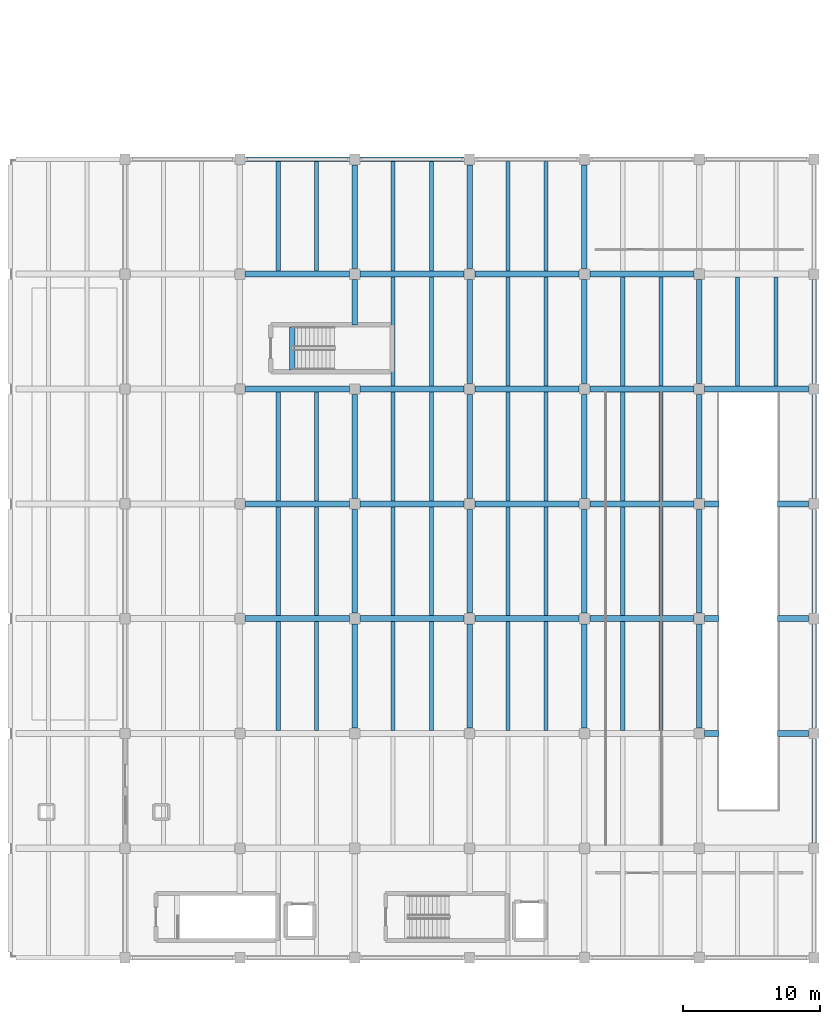
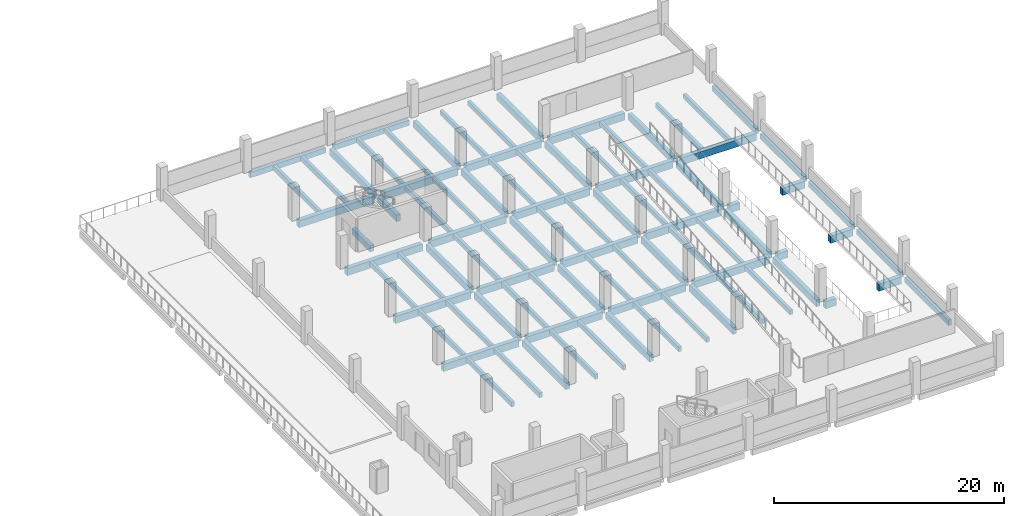
# One storey, part 62 of 95: 88 beams.
"""IFC4 building model written with IfcOpenShell, lengths in metres."""

from ifc_helpers import new_model, si_unit, direction, frame, origin, origin_2d, place, context, subcontext, project, spatial, rectangle, extrude, material, material_profile, profile_set, type_object, element, save


model = new_model("IFC4")

# Units and contexts
model_context = context("Model", 3, precision=1e-05, world=origin(), true_north=direction((0.0, 1.0)))
body_context = subcontext(model_context, "Body", "Model", "MODEL_VIEW")
ifc_project = project(units=[si_unit("LENGTHUNIT", "METRE"), si_unit("AREAUNIT", "SQUARE_METRE"), si_unit("VOLUMEUNIT", "CUBIC_METRE"), si_unit("PLANEANGLEUNIT", "RADIAN"), si_unit("MASSUNIT", "GRAM", prefix="KILO"), si_unit("THERMODYNAMICTEMPERATUREUNIT", "KELVIN"), si_unit("POWERUNIT", "WATT")], contexts=[model_context])

# Site, building, storey
site_placement = place(None, origin())
site = spatial("IfcSite", under=ifc_project, at=site_placement, CompositionType="ELEMENT")
building_placement = place(site_placement, origin())
building = spatial("IfcBuilding", under=site, at=building_placement, Name="Mavoryth Pier Ferry Terminal", CompositionType="ELEMENT")
storey_placement = place(building_placement, frame((0.0, 0.0, 9.60009765625)))
storey = spatial("IfcBuildingStorey", under=building, at=storey_placement, Name="L02", CompositionType="ELEMENT", Elevation=9.60009765625)

# Beams
ifc_material = material(Name="Concrete C35/45", Category="concrete")
ifc_material_profile_1 = material_profile(ifc_material, rectangle(XDim=0.39990234375, YDim=0.64990234375, at=origin_2d()), Name="RC 400x650", Category="concrete")
ifc_profile_set_1 = profile_set([ifc_material_profile_1], Name="Concrete C35/45 - RC 400x650")
beam_type_1 = type_object("IfcBeamType", Name="Girder-RC-400x650", PredefinedType="BEAM", material=ifc_profile_set_1)
beam_1_placement = place(storey_placement, frame((129.820068359375, 57.0, -0.3251953125), z_axis=(0.0, 1.0, 0.0), x_axis=(-1.0, 0.0, 0.0)))
element("IfcBeam", 1, at=beam_1_placement, inside=storey, type_object=beam_type_1, Name="Beam B02-BG05-1582", PredefinedType="BEAM", context=body_context, shape_type="SweptSolid", body=[
    extrude(rectangle(XDim=0.39990234375, YDim=0.64990234375, at=origin_2d()), origin(), (0.0, 0.0, 1.0), 3.14990234375),
])
ifc_material_profile_2 = material_profile(ifc_material, rectangle(XDim=0.39990234375, YDim=0.699951171875, at=origin_2d()), Name="RC 400x700", Category="concrete")
ifc_profile_set_2 = profile_set([ifc_material_profile_2], Name="Concrete C35/45 - RC 400x700")
beam_type_2 = type_object("IfcBeamType", Name="Girder-RC-400x700", PredefinedType="BEAM", material=ifc_profile_set_2)
beam_2_placement = place(storey_placement, frame((134.39990234375, 30.800048828125, -0.650146484375), z_axis=(0.0, 1.0, 0.0), x_axis=(-1.0, 0.0, 0.0)))
element("IfcBeam", 2, at=beam_2_placement, inside=storey, type_object=beam_type_2, Name="Beam B02-BG04-0834", PredefinedType="BEAM", context=body_context, shape_type="SweptSolid", body=[
    extrude(rectangle(XDim=0.39990234375, YDim=0.699951171875, at=origin_2d()), origin(), (0.0, 0.0, 1.0), 7.599853515625),
])
beam_3_placement = place(storey_placement, frame((134.39990234375, 39.199951171875, -0.650146484375), z_axis=(0.0, 1.0, 0.0), x_axis=(-1.0, 0.0, 0.0)))
element("IfcBeam", 3, at=beam_3_placement, inside=storey, type_object=beam_type_2, Name="Beam B02-BG04-0835", PredefinedType="BEAM", context=body_context, shape_type="SweptSolid", body=[
    extrude(rectangle(XDim=0.39990234375, YDim=0.699951171875, at=origin_2d()), origin(), (0.0, 0.0, 1.0), 7.60009765625),
])
beam_4_placement = place(storey_placement, frame((134.39990234375, 47.60009765625, -0.650146484375), z_axis=(0.0, 1.0, 0.0), x_axis=(-1.0, 0.0, 0.0)))
element("IfcBeam", 4, at=beam_4_placement, inside=storey, type_object=beam_type_2, Name="Beam B02-BG04-0836", PredefinedType="BEAM", context=body_context, shape_type="SweptSolid", body=[
    extrude(rectangle(XDim=0.39990234375, YDim=0.699951171875, at=origin_2d()), origin(), (0.0, 0.0, 1.0), 7.599853515625),
])
beam_5_placement = place(storey_placement, frame((134.39990234375, 60.280029296875, -0.650146484375), z_axis=(0.0, 1.0, 0.0), x_axis=(-1.0, 0.0, 0.0)))
element("IfcBeam", 5, at=beam_5_placement, inside=storey, type_object=beam_type_2, Name="Beam B02-BG04-0837", PredefinedType="BEAM", context=body_context, shape_type="SweptSolid", body=[
    extrude(rectangle(XDim=0.39990234375, YDim=0.699951171875, at=origin_2d()), origin(), (0.0, 0.0, 1.0), 3.320068359375),
])
beam_6_placement = place(storey_placement, frame((134.39990234375, 64.39990234375, -0.650146484375), z_axis=(0.0, 1.0, 0.0), x_axis=(-1.0, 0.0, 0.0)))
element("IfcBeam", 6, at=beam_6_placement, inside=storey, type_object=beam_type_2, Name="Beam B02-BG04-0838", PredefinedType="BEAM", context=body_context, shape_type="SweptSolid", body=[
    extrude(rectangle(XDim=0.39990234375, YDim=0.699951171875, at=origin_2d()), origin(), (0.0, 0.0, 1.0), 7.60009765625),
])
beam_7_placement = place(storey_placement, frame((142.800048828125, 30.800048828125, -0.650146484375), z_axis=(0.0, 1.0, 0.0), x_axis=(-1.0, 0.0, 0.0)))
element("IfcBeam", 7, at=beam_7_placement, inside=storey, type_object=beam_type_2, Name="Beam B02-BG04-0841", PredefinedType="BEAM", context=body_context, shape_type="SweptSolid", body=[
    extrude(rectangle(XDim=0.39990234375, YDim=0.699951171875, at=origin_2d()), origin(), (0.0, 0.0, 1.0), 7.599853515625),
])
beam_8_placement = place(storey_placement, frame((142.800048828125, 39.199951171875, -0.650146484375), z_axis=(0.0, 1.0, 0.0), x_axis=(-1.0, 0.0, 0.0)))
element("IfcBeam", 8, at=beam_8_placement, inside=storey, type_object=beam_type_2, Name="Beam B02-BG04-0842", PredefinedType="BEAM", context=body_context, shape_type="SweptSolid", body=[
    extrude(rectangle(XDim=0.39990234375, YDim=0.699951171875, at=origin_2d()), origin(), (0.0, 0.0, 1.0), 7.60009765625),
])
beam_9_placement = place(storey_placement, frame((142.800048828125, 47.60009765625, -0.650146484375), z_axis=(0.0, 1.0, 0.0), x_axis=(-1.0, 0.0, 0.0)))
element("IfcBeam", 9, at=beam_9_placement, inside=storey, type_object=beam_type_2, Name="Beam B02-BG04-0843", PredefinedType="BEAM", context=body_context, shape_type="SweptSolid", body=[
    extrude(rectangle(XDim=0.39990234375, YDim=0.699951171875, at=origin_2d()), origin(), (0.0, 0.0, 1.0), 7.599853515625),
])
for number, where, z_axis, x_axis, name in (
    (10, (142.800048828125, 56.0, -0.650146484375), (0.0, 1.0, 0.0), (-1.0, 0.0, 0.0), "Beam B02-BG04-0844"),
    (11, (142.800048828125, 64.39990234375, -0.650146484375), (0.0, 1.0, 0.0), (-1.0, 0.0, 0.0), "Beam B02-BG04-0845"),
):
    element("IfcBeam", number, at=place(storey_placement, frame(where, z_axis=z_axis, x_axis=x_axis)), inside=storey, type_object=beam_type_2, Name=name, PredefinedType="BEAM", context=body_context, shape_type="SweptSolid", body=[
        extrude(rectangle(XDim=0.39990234375, YDim=0.699951171875, at=origin_2d()), origin(), (0.0, 0.0, 1.0), 7.60009765625),
    ])
beam_10_placement = place(storey_placement, frame((151.199951171875, 30.800048828125, -0.650146484375), z_axis=(0.0, 1.0, 0.0), x_axis=(-1.0, 0.0, 0.0)))
element("IfcBeam", 12, at=beam_10_placement, inside=storey, type_object=beam_type_2, Name="Beam B02-BG04-0848", PredefinedType="BEAM", context=body_context, shape_type="SweptSolid", body=[
    extrude(rectangle(XDim=0.39990234375, YDim=0.699951171875, at=origin_2d()), origin(), (0.0, 0.0, 1.0), 7.599853515625),
])
beam_11_placement = place(storey_placement, frame((151.199951171875, 39.199951171875, -0.650146484375), z_axis=(0.0, 1.0, 0.0), x_axis=(-1.0, 0.0, 0.0)))
element("IfcBeam", 13, at=beam_11_placement, inside=storey, type_object=beam_type_2, Name="Beam B02-BG04-0849", PredefinedType="BEAM", context=body_context, shape_type="SweptSolid", body=[
    extrude(rectangle(XDim=0.39990234375, YDim=0.699951171875, at=origin_2d()), origin(), (0.0, 0.0, 1.0), 7.60009765625),
])
beam_12_placement = place(storey_placement, frame((151.199951171875, 47.60009765625, -0.650146484375), z_axis=(0.0, 1.0, 0.0), x_axis=(-1.0, 0.0, 0.0)))
element("IfcBeam", 14, at=beam_12_placement, inside=storey, type_object=beam_type_2, Name="Beam B02-BG04-0850", PredefinedType="BEAM", context=body_context, shape_type="SweptSolid", body=[
    extrude(rectangle(XDim=0.39990234375, YDim=0.699951171875, at=origin_2d()), origin(), (0.0, 0.0, 1.0), 7.599853515625),
])
for number, where, z_axis, x_axis, name in (
    (15, (151.199951171875, 56.0, -0.650146484375), (0.0, 1.0, 0.0), (-1.0, 0.0, 0.0), "Beam B02-BG04-0851"),
    (16, (151.199951171875, 64.39990234375, -0.650146484375), (0.0, 1.0, 0.0), (-1.0, 0.0, 0.0), "Beam B02-BG04-0852"),
):
    element("IfcBeam", number, at=place(storey_placement, frame(where, z_axis=z_axis, x_axis=x_axis)), inside=storey, type_object=beam_type_2, Name=name, PredefinedType="BEAM", context=body_context, shape_type="SweptSolid", body=[
        extrude(rectangle(XDim=0.39990234375, YDim=0.699951171875, at=origin_2d()), origin(), (0.0, 0.0, 1.0), 7.60009765625),
    ])
beam_13_placement = place(storey_placement, frame((159.60009765625, 30.800048828125, -0.650146484375), z_axis=(0.0, 1.0, 0.0), x_axis=(-1.0, 0.0, 0.0)))
element("IfcBeam", 17, at=beam_13_placement, inside=storey, type_object=beam_type_2, Name="Beam B02-BG04-0855", PredefinedType="BEAM", context=body_context, shape_type="SweptSolid", body=[
    extrude(rectangle(XDim=0.39990234375, YDim=0.699951171875, at=origin_2d()), origin(), (0.0, 0.0, 1.0), 7.599853515625),
])
beam_14_placement = place(storey_placement, frame((159.60009765625, 39.199951171875, -0.650146484375), z_axis=(0.0, 1.0, 0.0), x_axis=(-1.0, 0.0, 0.0)))
element("IfcBeam", 18, at=beam_14_placement, inside=storey, type_object=beam_type_2, Name="Beam B02-BG04-0856", PredefinedType="BEAM", context=body_context, shape_type="SweptSolid", body=[
    extrude(rectangle(XDim=0.39990234375, YDim=0.699951171875, at=origin_2d()), origin(), (0.0, 0.0, 1.0), 7.60009765625),
])
beam_15_placement = place(storey_placement, frame((159.60009765625, 47.60009765625, -0.650146484375), z_axis=(0.0, 1.0, 0.0), x_axis=(-1.0, 0.0, 0.0)))
element("IfcBeam", 19, at=beam_15_placement, inside=storey, type_object=beam_type_2, Name="Beam B02-BG04-0857", PredefinedType="BEAM", context=body_context, shape_type="SweptSolid", body=[
    extrude(rectangle(XDim=0.39990234375, YDim=0.699951171875, at=origin_2d()), origin(), (0.0, 0.0, 1.0), 7.599853515625),
])
beam_16_placement = place(storey_placement, frame((159.60009765625, 56.0, -0.650146484375), z_axis=(0.0, 1.0, 0.0), x_axis=(-1.0, 0.0, 0.0)))
element("IfcBeam", 20, at=beam_16_placement, inside=storey, type_object=beam_type_2, Name="Beam B02-BG04-0858", PredefinedType="BEAM", context=body_context, shape_type="SweptSolid", body=[
    extrude(rectangle(XDim=0.39990234375, YDim=0.699951171875, at=origin_2d()), origin(), (0.0, 0.0, 1.0), 7.60009765625),
])
ifc_material_profile_3 = material_profile(ifc_material, rectangle(XDim=0.449951171875, YDim=0.75, at=origin_2d()), Name="RC 450x750", Category="concrete")
ifc_profile_set_3 = profile_set([ifc_material_profile_3], Name="Concrete C35/45 - RC 450x750")
beam_type_3 = type_object("IfcBeamType", Name="Girder-RC-450x750", PredefinedType="BEAM", material=ifc_profile_set_3)
beam_17_placement = place(storey_placement, frame((160.0, 30.39990234375, -0.675048828125), z_axis=(1.0, 0.0, 0.0), x_axis=(0.0, 1.0, 0.0)))
element("IfcBeam", 21, at=beam_17_placement, inside=storey, type_object=beam_type_3, Name="Beam B02-BG02-0772", PredefinedType="BEAM", context=body_context, shape_type="SweptSolid", body=[
    extrude(rectangle(XDim=0.449951171875, YDim=0.75, at=origin_2d()), origin(), (0.0, 0.0, 1.0), 1.06005859375),
])
beam_18_placement = place(storey_placement, frame((165.340087890625, 30.39990234375, -0.675048828125), z_axis=(1.0, 0.0, 0.0), x_axis=(0.0, 1.0, 0.0)))
element("IfcBeam", 22, at=beam_18_placement, inside=storey, type_object=beam_type_3, Name="Beam B02-BG02-0773", PredefinedType="BEAM", context=body_context, shape_type="SweptSolid", body=[
    extrude(rectangle(XDim=0.449951171875, YDim=0.75, at=origin_2d()), origin(), (0.0, 0.0, 1.0), 2.260009765625),
])
beam_19_placement = place(storey_placement, frame((126.39990234375, 38.800048828125, -0.675048828125), z_axis=(1.0, 0.0, 0.0), x_axis=(0.0, 1.0, 0.0)))
element("IfcBeam", 23, at=beam_19_placement, inside=storey, type_object=beam_type_3, Name="Beam B02-BG02-0776", PredefinedType="BEAM", context=body_context, shape_type="SweptSolid", body=[
    extrude(rectangle(XDim=0.449951171875, YDim=0.75, at=origin_2d()), origin(), (0.0, 0.0, 1.0), 7.60009765625),
])
beam_20_placement = place(storey_placement, frame((134.800048828125, 38.800048828125, -0.675048828125), z_axis=(1.0, 0.0, 0.0), x_axis=(0.0, 1.0, 0.0)))
element("IfcBeam", 24, at=beam_20_placement, inside=storey, type_object=beam_type_3, Name="Beam B02-BG02-0777", PredefinedType="BEAM", context=body_context, shape_type="SweptSolid", body=[
    extrude(rectangle(XDim=0.449951171875, YDim=0.75, at=origin_2d()), origin(), (0.0, 0.0, 1.0), 7.599853515625),
])
beam_21_placement = place(storey_placement, frame((143.199951171875, 38.800048828125, -0.675048828125), z_axis=(1.0, 0.0, 0.0), x_axis=(0.0, 1.0, 0.0)))
element("IfcBeam", 25, at=beam_21_placement, inside=storey, type_object=beam_type_3, Name="Beam B02-BG02-0778", PredefinedType="BEAM", context=body_context, shape_type="SweptSolid", body=[
    extrude(rectangle(XDim=0.449951171875, YDim=0.75, at=origin_2d()), origin(), (0.0, 0.0, 1.0), 7.60009765625),
])
beam_22_placement = place(storey_placement, frame((151.60009765625, 38.800048828125, -0.675048828125), z_axis=(1.0, 0.0, 0.0), x_axis=(0.0, 1.0, 0.0)))
element("IfcBeam", 26, at=beam_22_placement, inside=storey, type_object=beam_type_3, Name="Beam B02-BG02-0779", PredefinedType="BEAM", context=body_context, shape_type="SweptSolid", body=[
    extrude(rectangle(XDim=0.449951171875, YDim=0.75, at=origin_2d()), origin(), (0.0, 0.0, 1.0), 7.599853515625),
])
beam_23_placement = place(storey_placement, frame((160.0, 38.800048828125, -0.675048828125), z_axis=(1.0, 0.0, 0.0), x_axis=(0.0, 1.0, 0.0)))
element("IfcBeam", 27, at=beam_23_placement, inside=storey, type_object=beam_type_3, Name="Beam B02-BG02-0780", PredefinedType="BEAM", context=body_context, shape_type="SweptSolid", body=[
    extrude(rectangle(XDim=0.449951171875, YDim=0.75, at=origin_2d()), origin(), (0.0, 0.0, 1.0), 1.06005859375),
])
beam_24_placement = place(storey_placement, frame((165.340087890625, 38.800048828125, -0.675048828125), z_axis=(1.0, 0.0, 0.0), x_axis=(0.0, 1.0, 0.0)))
element("IfcBeam", 28, at=beam_24_placement, inside=storey, type_object=beam_type_3, Name="Beam B02-BG02-0781", PredefinedType="BEAM", context=body_context, shape_type="SweptSolid", body=[
    extrude(rectangle(XDim=0.449951171875, YDim=0.75, at=origin_2d()), origin(), (0.0, 0.0, 1.0), 2.260009765625),
])
beam_25_placement = place(storey_placement, frame((126.39990234375, 47.199951171875, -0.675048828125), z_axis=(1.0, 0.0, 0.0), x_axis=(0.0, 1.0, 0.0)))
element("IfcBeam", 29, at=beam_25_placement, inside=storey, type_object=beam_type_3, Name="Beam B02-BG02-0784", PredefinedType="BEAM", context=body_context, shape_type="SweptSolid", body=[
    extrude(rectangle(XDim=0.449951171875, YDim=0.75, at=origin_2d()), origin(), (0.0, 0.0, 1.0), 7.60009765625),
])
beam_26_placement = place(storey_placement, frame((134.800048828125, 47.199951171875, -0.675048828125), z_axis=(1.0, 0.0, 0.0), x_axis=(0.0, 1.0, 0.0)))
element("IfcBeam", 30, at=beam_26_placement, inside=storey, type_object=beam_type_3, Name="Beam B02-BG02-0785", PredefinedType="BEAM", context=body_context, shape_type="SweptSolid", body=[
    extrude(rectangle(XDim=0.449951171875, YDim=0.75, at=origin_2d()), origin(), (0.0, 0.0, 1.0), 7.599853515625),
])
beam_27_placement = place(storey_placement, frame((143.199951171875, 47.199951171875, -0.675048828125), z_axis=(1.0, 0.0, 0.0), x_axis=(0.0, 1.0, 0.0)))
element("IfcBeam", 31, at=beam_27_placement, inside=storey, type_object=beam_type_3, Name="Beam B02-BG02-0786", PredefinedType="BEAM", context=body_context, shape_type="SweptSolid", body=[
    extrude(rectangle(XDim=0.449951171875, YDim=0.75, at=origin_2d()), origin(), (0.0, 0.0, 1.0), 7.60009765625),
])
beam_28_placement = place(storey_placement, frame((151.60009765625, 47.199951171875, -0.675048828125), z_axis=(1.0, 0.0, 0.0), x_axis=(0.0, 1.0, 0.0)))
element("IfcBeam", 32, at=beam_28_placement, inside=storey, type_object=beam_type_3, Name="Beam B02-BG02-0787", PredefinedType="BEAM", context=body_context, shape_type="SweptSolid", body=[
    extrude(rectangle(XDim=0.449951171875, YDim=0.75, at=origin_2d()), origin(), (0.0, 0.0, 1.0), 7.599853515625),
])
beam_29_placement = place(storey_placement, frame((160.0, 47.199951171875, -0.675048828125), z_axis=(1.0, 0.0, 0.0), x_axis=(0.0, 1.0, 0.0)))
element("IfcBeam", 33, at=beam_29_placement, inside=storey, type_object=beam_type_3, Name="Beam B02-BG02-0788", PredefinedType="BEAM", context=body_context, shape_type="SweptSolid", body=[
    extrude(rectangle(XDim=0.449951171875, YDim=0.75, at=origin_2d()), origin(), (0.0, 0.0, 1.0), 1.06005859375),
])
beam_30_placement = place(storey_placement, frame((165.340087890625, 47.199951171875, -0.675048828125), z_axis=(1.0, 0.0, 0.0), x_axis=(0.0, 1.0, 0.0)))
element("IfcBeam", 34, at=beam_30_placement, inside=storey, type_object=beam_type_3, Name="Beam B02-BG02-0789", PredefinedType="BEAM", context=body_context, shape_type="SweptSolid", body=[
    extrude(rectangle(XDim=0.449951171875, YDim=0.75, at=origin_2d()), origin(), (0.0, 0.0, 1.0), 2.260009765625),
])
beam_31_placement = place(storey_placement, frame((126.39990234375, 55.60009765625, -0.675048828125), z_axis=(1.0, 0.0, 0.0), x_axis=(0.0, 1.0, 0.0)))
element("IfcBeam", 35, at=beam_31_placement, inside=storey, type_object=beam_type_3, Name="Beam B02-BG02-0792", PredefinedType="BEAM", context=body_context, shape_type="SweptSolid", body=[
    extrude(rectangle(XDim=0.449951171875, YDim=0.75, at=origin_2d()), origin(), (0.0, 0.0, 1.0), 7.60009765625),
])
beam_32_placement = place(storey_placement, frame((134.800048828125, 55.60009765625, -0.675048828125), z_axis=(1.0, 0.0, 0.0), x_axis=(0.0, 1.0, 0.0)))
element("IfcBeam", 36, at=beam_32_placement, inside=storey, type_object=beam_type_3, Name="Beam B02-BG02-0793", PredefinedType="BEAM", context=body_context, shape_type="SweptSolid", body=[
    extrude(rectangle(XDim=0.449951171875, YDim=0.75, at=origin_2d()), origin(), (0.0, 0.0, 1.0), 7.599853515625),
])
beam_33_placement = place(storey_placement, frame((143.199951171875, 55.60009765625, -0.675048828125), z_axis=(1.0, 0.0, 0.0), x_axis=(0.0, 1.0, 0.0)))
element("IfcBeam", 37, at=beam_33_placement, inside=storey, type_object=beam_type_3, Name="Beam B02-BG02-0794", PredefinedType="BEAM", context=body_context, shape_type="SweptSolid", body=[
    extrude(rectangle(XDim=0.449951171875, YDim=0.75, at=origin_2d()), origin(), (0.0, 0.0, 1.0), 7.60009765625),
])
beam_34_placement = place(storey_placement, frame((151.60009765625, 55.60009765625, -0.675048828125), z_axis=(1.0, 0.0, 0.0), x_axis=(0.0, 1.0, 0.0)))
element("IfcBeam", 38, at=beam_34_placement, inside=storey, type_object=beam_type_3, Name="Beam B02-BG02-0795", PredefinedType="BEAM", context=body_context, shape_type="SweptSolid", body=[
    extrude(rectangle(XDim=0.449951171875, YDim=0.75, at=origin_2d()), origin(), (0.0, 0.0, 1.0), 7.599853515625),
])
for number, where, z_axis, x_axis, name in (
    (39, (160.0, 55.60009765625, -0.675048828125), (1.0, 0.0, 0.0), (0.0, 1.0, 0.0), "Beam B02-BG02-0796"),
    (40, (126.39990234375, 64.0, -0.675048828125), (1.0, 0.0, 0.0), (0.0, 1.0, 0.0), "Beam B02-BG02-0799"),
):
    element("IfcBeam", number, at=place(storey_placement, frame(where, z_axis=z_axis, x_axis=x_axis)), inside=storey, type_object=beam_type_3, Name=name, PredefinedType="BEAM", context=body_context, shape_type="SweptSolid", body=[
        extrude(rectangle(XDim=0.449951171875, YDim=0.75, at=origin_2d()), origin(), (0.0, 0.0, 1.0), 7.60009765625),
    ])
beam_35_placement = place(storey_placement, frame((134.800048828125, 64.0, -0.675048828125), z_axis=(1.0, 0.0, 0.0), x_axis=(0.0, 1.0, 0.0)))
element("IfcBeam", 41, at=beam_35_placement, inside=storey, type_object=beam_type_3, Name="Beam B02-BG02-0800", PredefinedType="BEAM", context=body_context, shape_type="SweptSolid", body=[
    extrude(rectangle(XDim=0.449951171875, YDim=0.75, at=origin_2d()), origin(), (0.0, 0.0, 1.0), 7.599853515625),
])
beam_36_placement = place(storey_placement, frame((143.199951171875, 64.0, -0.675048828125), z_axis=(1.0, 0.0, 0.0), x_axis=(0.0, 1.0, 0.0)))
element("IfcBeam", 42, at=beam_36_placement, inside=storey, type_object=beam_type_3, Name="Beam B02-BG02-0801", PredefinedType="BEAM", context=body_context, shape_type="SweptSolid", body=[
    extrude(rectangle(XDim=0.449951171875, YDim=0.75, at=origin_2d()), origin(), (0.0, 0.0, 1.0), 7.60009765625),
])
beam_37_placement = place(storey_placement, frame((151.60009765625, 64.0, -0.675048828125), z_axis=(1.0, 0.0, 0.0), x_axis=(0.0, 1.0, 0.0)))
element("IfcBeam", 43, at=beam_37_placement, inside=storey, type_object=beam_type_3, Name="Beam B02-BG02-0802", PredefinedType="BEAM", context=body_context, shape_type="SweptSolid", body=[
    extrude(rectangle(XDim=0.449951171875, YDim=0.75, at=origin_2d()), origin(), (0.0, 0.0, 1.0), 7.599853515625),
])
ifc_material_profile_4 = material_profile(ifc_material, rectangle(XDim=0.300048828125, YDim=0.5, at=origin_2d()), Name="RC 300x500", Category="concrete")
ifc_profile_set_4 = profile_set([ifc_material_profile_4], Name="Concrete C35/45 - RC 300x500")
beam_type_4 = type_object("IfcBeamType", Name="Joist-RC-300x500", PredefinedType="JOIST", material=ifc_profile_set_4)
for number, where, z_axis, x_axis, name in (
    (44, (128.800048828125, 30.625, -0.550048828125), (0.0, 1.0, 0.0), (-1.0, 0.0, 0.0), "Beam B02-BJ01-0897"),
    (45, (131.60009765625, 30.625, -0.550048828125), (0.0, 1.0, 0.0), (-1.0, 0.0, 0.0), "Beam B02-BJ01-0898"),
):
    element("IfcBeam", number, at=place(storey_placement, frame(where, z_axis=z_axis, x_axis=x_axis)), inside=storey, type_object=beam_type_4, Name=name, PredefinedType="JOIST", context=body_context, shape_type="SweptSolid", body=[
        extrude(rectangle(XDim=0.300048828125, YDim=0.5, at=origin_2d()), origin(), (0.0, 0.0, 1.0), 7.949951171875),
    ])
for number, where, z_axis, x_axis, name in (
    (46, (128.800048828125, 39.02490234375, -0.550048828125), (0.0, 1.0, 0.0), (-1.0, 0.0, 0.0), "Beam B02-BJ01-0899"),
    (47, (131.60009765625, 39.02490234375, -0.550048828125), (0.0, 1.0, 0.0), (-1.0, 0.0, 0.0), "Beam B02-BJ01-0900"),
):
    element("IfcBeam", number, at=place(storey_placement, frame(where, z_axis=z_axis, x_axis=x_axis)), inside=storey, type_object=beam_type_4, Name=name, PredefinedType="JOIST", context=body_context, shape_type="SweptSolid", body=[
        extrude(rectangle(XDim=0.300048828125, YDim=0.5, at=origin_2d()), origin(), (0.0, 0.0, 1.0), 7.9501953125),
    ])
for number, where, z_axis, x_axis, name in (
    (48, (128.800048828125, 47.425048828125, -0.550048828125), (0.0, 1.0, 0.0), (-1.0, 0.0, 0.0), "Beam B02-BJ01-0901"),
    (49, (131.60009765625, 47.425048828125, -0.550048828125), (0.0, 1.0, 0.0), (-1.0, 0.0, 0.0), "Beam B02-BJ01-0902"),
):
    element("IfcBeam", number, at=place(storey_placement, frame(where, z_axis=z_axis, x_axis=x_axis)), inside=storey, type_object=beam_type_4, Name=name, PredefinedType="JOIST", context=body_context, shape_type="SweptSolid", body=[
        extrude(rectangle(XDim=0.300048828125, YDim=0.5, at=origin_2d()), origin(), (0.0, 0.0, 1.0), 7.949951171875),
    ])
for number, where, z_axis, x_axis, name in (
    (50, (128.800048828125, 64.22509765625, -0.550048828125), (0.0, 1.0, 0.0), (-1.0, 0.0, 0.0), "Beam B02-BJ01-0903"),
    (51, (131.60009765625, 64.22509765625, -0.550048828125), (0.0, 1.0, 0.0), (-1.0, 0.0, 0.0), "Beam B02-BJ01-0904"),
):
    element("IfcBeam", number, at=place(storey_placement, frame(where, z_axis=z_axis, x_axis=x_axis)), inside=storey, type_object=beam_type_4, Name=name, PredefinedType="JOIST", context=body_context, shape_type="SweptSolid", body=[
        extrude(rectangle(XDim=0.300048828125, YDim=0.5, at=origin_2d()), origin(), (0.0, 0.0, 1.0), 8.014892578125),
    ])
for number, where, z_axis, x_axis, name in (
    (52, (137.199951171875, 30.625, -0.550048828125), (0.0, 1.0, 0.0), (-1.0, 0.0, 0.0), "Beam B02-BJ01-0907"),
    (53, (140.0, 30.625, -0.550048828125), (0.0, 1.0, 0.0), (-1.0, 0.0, 0.0), "Beam B02-BJ01-0908"),
):
    element("IfcBeam", number, at=place(storey_placement, frame(where, z_axis=z_axis, x_axis=x_axis)), inside=storey, type_object=beam_type_4, Name=name, PredefinedType="JOIST", context=body_context, shape_type="SweptSolid", body=[
        extrude(rectangle(XDim=0.300048828125, YDim=0.5, at=origin_2d()), origin(), (0.0, 0.0, 1.0), 7.949951171875),
    ])
for number, where, z_axis, x_axis, name in (
    (54, (137.199951171875, 39.02490234375, -0.550048828125), (0.0, 1.0, 0.0), (-1.0, 0.0, 0.0), "Beam B02-BJ01-0909"),
    (55, (140.0, 39.02490234375, -0.550048828125), (0.0, 1.0, 0.0), (-1.0, 0.0, 0.0), "Beam B02-BJ01-0910"),
):
    element("IfcBeam", number, at=place(storey_placement, frame(where, z_axis=z_axis, x_axis=x_axis)), inside=storey, type_object=beam_type_4, Name=name, PredefinedType="JOIST", context=body_context, shape_type="SweptSolid", body=[
        extrude(rectangle(XDim=0.300048828125, YDim=0.5, at=origin_2d()), origin(), (0.0, 0.0, 1.0), 7.9501953125),
    ])
for number, where, z_axis, x_axis, name in (
    (56, (137.199951171875, 47.425048828125, -0.550048828125), (0.0, 1.0, 0.0), (-1.0, 0.0, 0.0), "Beam B02-BJ01-0911"),
    (57, (140.0, 47.425048828125, -0.550048828125), (0.0, 1.0, 0.0), (-1.0, 0.0, 0.0), "Beam B02-BJ01-0912"),
    (58, (137.199951171875, 55.824951171875, -0.550048828125), (0.0, 1.0, 0.0), (-1.0, 0.0, 0.0), "Beam B02-BJ01-0913"),
    (59, (140.0, 55.824951171875, -0.550048828125), (0.0, 1.0, 0.0), (-1.0, 0.0, 0.0), "Beam B02-BJ01-0914"),
):
    element("IfcBeam", number, at=place(storey_placement, frame(where, z_axis=z_axis, x_axis=x_axis)), inside=storey, type_object=beam_type_4, Name=name, PredefinedType="JOIST", context=body_context, shape_type="SweptSolid", body=[
        extrude(rectangle(XDim=0.300048828125, YDim=0.5, at=origin_2d()), origin(), (0.0, 0.0, 1.0), 7.949951171875),
    ])
for number, where, z_axis, x_axis, name in (
    (60, (137.199951171875, 64.22509765625, -0.550048828125), (0.0, 1.0, 0.0), (-1.0, 0.0, 0.0), "Beam B02-BJ01-0915"),
    (61, (140.0, 64.22509765625, -0.550048828125), (0.0, 1.0, 0.0), (-1.0, 0.0, 0.0), "Beam B02-BJ01-0916"),
):
    element("IfcBeam", number, at=place(storey_placement, frame(where, z_axis=z_axis, x_axis=x_axis)), inside=storey, type_object=beam_type_4, Name=name, PredefinedType="JOIST", context=body_context, shape_type="SweptSolid", body=[
        extrude(rectangle(XDim=0.300048828125, YDim=0.5, at=origin_2d()), origin(), (0.0, 0.0, 1.0), 8.014892578125),
    ])
for number, where, z_axis, x_axis, name in (
    (62, (145.60009765625, 30.625, -0.550048828125), (0.0, 1.0, 0.0), (-1.0, 0.0, 0.0), "Beam B02-BJ01-0921"),
    (63, (148.39990234375, 30.625, -0.550048828125), (0.0, 1.0, 0.0), (-1.0, 0.0, 0.0), "Beam B02-BJ01-0922"),
):
    element("IfcBeam", number, at=place(storey_placement, frame(where, z_axis=z_axis, x_axis=x_axis)), inside=storey, type_object=beam_type_4, Name=name, PredefinedType="JOIST", context=body_context, shape_type="SweptSolid", body=[
        extrude(rectangle(XDim=0.300048828125, YDim=0.5, at=origin_2d()), origin(), (0.0, 0.0, 1.0), 7.949951171875),
    ])
for number, where, z_axis, x_axis, name in (
    (64, (145.60009765625, 39.02490234375, -0.550048828125), (0.0, 1.0, 0.0), (-1.0, 0.0, 0.0), "Beam B02-BJ01-0923"),
    (65, (148.39990234375, 39.02490234375, -0.550048828125), (0.0, 1.0, 0.0), (-1.0, 0.0, 0.0), "Beam B02-BJ01-0924"),
):
    element("IfcBeam", number, at=place(storey_placement, frame(where, z_axis=z_axis, x_axis=x_axis)), inside=storey, type_object=beam_type_4, Name=name, PredefinedType="JOIST", context=body_context, shape_type="SweptSolid", body=[
        extrude(rectangle(XDim=0.300048828125, YDim=0.5, at=origin_2d()), origin(), (0.0, 0.0, 1.0), 7.9501953125),
    ])
for number, where, z_axis, x_axis, name in (
    (66, (145.60009765625, 47.425048828125, -0.550048828125), (0.0, 1.0, 0.0), (-1.0, 0.0, 0.0), "Beam B02-BJ01-0925"),
    (67, (148.39990234375, 47.425048828125, -0.550048828125), (0.0, 1.0, 0.0), (-1.0, 0.0, 0.0), "Beam B02-BJ01-0926"),
    (68, (145.60009765625, 55.824951171875, -0.550048828125), (0.0, 1.0, 0.0), (-1.0, 0.0, 0.0), "Beam B02-BJ01-0927"),
    (69, (148.39990234375, 55.824951171875, -0.550048828125), (0.0, 1.0, 0.0), (-1.0, 0.0, 0.0), "Beam B02-BJ01-0928"),
):
    element("IfcBeam", number, at=place(storey_placement, frame(where, z_axis=z_axis, x_axis=x_axis)), inside=storey, type_object=beam_type_4, Name=name, PredefinedType="JOIST", context=body_context, shape_type="SweptSolid", body=[
        extrude(rectangle(XDim=0.300048828125, YDim=0.5, at=origin_2d()), origin(), (0.0, 0.0, 1.0), 7.949951171875),
    ])
for number, where, z_axis, x_axis, name in (
    (70, (145.60009765625, 64.22509765625, -0.550048828125), (0.0, 1.0, 0.0), (-1.0, 0.0, 0.0), "Beam B02-BJ01-0929"),
    (71, (148.39990234375, 64.22509765625, -0.550048828125), (0.0, 1.0, 0.0), (-1.0, 0.0, 0.0), "Beam B02-BJ01-0930"),
):
    element("IfcBeam", number, at=place(storey_placement, frame(where, z_axis=z_axis, x_axis=x_axis)), inside=storey, type_object=beam_type_4, Name=name, PredefinedType="JOIST", context=body_context, shape_type="SweptSolid", body=[
        extrude(rectangle(XDim=0.300048828125, YDim=0.5, at=origin_2d()), origin(), (0.0, 0.0, 1.0), 8.014892578125),
    ])
for number, where, z_axis, x_axis, name in (
    (72, (154.0, 30.625, -0.550048828125), (0.0, 1.0, 0.0), (-1.0, 0.0, 0.0), "Beam B02-BJ01-0935"),
    (73, (156.800048828125, 30.625, -0.550048828125), (0.0, 1.0, 0.0), (-1.0, 0.0, 0.0), "Beam B02-BJ01-0936"),
):
    element("IfcBeam", number, at=place(storey_placement, frame(where, z_axis=z_axis, x_axis=x_axis)), inside=storey, type_object=beam_type_4, Name=name, PredefinedType="JOIST", context=body_context, shape_type="SweptSolid", body=[
        extrude(rectangle(XDim=0.300048828125, YDim=0.5, at=origin_2d()), origin(), (0.0, 0.0, 1.0), 7.949951171875),
    ])
for number, where, z_axis, x_axis, name in (
    (74, (154.0, 39.02490234375, -0.550048828125), (0.0, 1.0, 0.0), (-1.0, 0.0, 0.0), "Beam B02-BJ01-0937"),
    (75, (156.800048828125, 39.02490234375, -0.550048828125), (0.0, 1.0, 0.0), (-1.0, 0.0, 0.0), "Beam B02-BJ01-0938"),
):
    element("IfcBeam", number, at=place(storey_placement, frame(where, z_axis=z_axis, x_axis=x_axis)), inside=storey, type_object=beam_type_4, Name=name, PredefinedType="JOIST", context=body_context, shape_type="SweptSolid", body=[
        extrude(rectangle(XDim=0.300048828125, YDim=0.5, at=origin_2d()), origin(), (0.0, 0.0, 1.0), 7.9501953125),
    ])
for number, where, z_axis, x_axis, name in (
    (76, (154.0, 47.425048828125, -0.550048828125), (0.0, 1.0, 0.0), (-1.0, 0.0, 0.0), "Beam B02-BJ01-0939"),
    (77, (156.800048828125, 47.425048828125, -0.550048828125), (0.0, 1.0, 0.0), (-1.0, 0.0, 0.0), "Beam B02-BJ01-0940"),
    (78, (154.0, 55.824951171875, -0.550048828125), (0.0, 1.0, 0.0), (-1.0, 0.0, 0.0), "Beam B02-BJ01-0941"),
    (79, (156.800048828125, 55.824951171875, -0.550048828125), (0.0, 1.0, 0.0), (-1.0, 0.0, 0.0), "Beam B02-BJ01-0942"),
    (80, (162.39990234375, 55.824951171875, -0.550048828125), (0.0, 1.0, 0.0), (-1.0, 0.0, 0.0), "Beam B02-BJ01-0947"),
    (81, (165.199951171875, 55.824951171875, -0.550048828125), (0.0, 1.0, 0.0), (-1.0, 0.0, 0.0), "Beam B02-BJ01-0948"),
):
    element("IfcBeam", number, at=place(storey_placement, frame(where, z_axis=z_axis, x_axis=x_axis)), inside=storey, type_object=beam_type_4, Name=name, PredefinedType="JOIST", context=body_context, shape_type="SweptSolid", body=[
        extrude(rectangle(XDim=0.300048828125, YDim=0.5, at=origin_2d()), origin(), (0.0, 0.0, 1.0), 7.949951171875),
    ])
ifc_material_profile_5 = material_profile(ifc_material, rectangle(XDim=0.320068359375, YDim=0.56005859375, at=origin_2d()), Name="RC 320x560", Category="concrete")
ifc_profile_set_5 = profile_set([ifc_material_profile_5], Name="Concrete C35/45 - RC 320x560")
beam_type_5 = type_object("IfcBeamType", Name="Spandrel-RC-320x560", PredefinedType="SPANDREL", material=ifc_profile_set_5)
beam_38_placement = place(storey_placement, frame((126.39990234375, 72.39990234375, -0.580078125), z_axis=(1.0, 0.0, 0.0), x_axis=(0.0, 1.0, 0.0)))
element("IfcBeam", 82, at=beam_38_placement, inside=storey, type_object=beam_type_5, Name="Beam B02-SP01-0806", PredefinedType="SPANDREL", context=body_context, shape_type="SweptSolid", body=[
    extrude(rectangle(XDim=0.320068359375, YDim=0.56005859375, at=origin_2d()), origin(), (0.0, 0.0, 1.0), 7.60009765625),
])
beam_39_placement = place(storey_placement, frame((134.800048828125, 72.39990234375, -0.580078125), z_axis=(1.0, 0.0, 0.0), x_axis=(0.0, 1.0, 0.0)))
element("IfcBeam", 83, at=beam_39_placement, inside=storey, type_object=beam_type_5, Name="Beam B02-SP01-0807", PredefinedType="SPANDREL", context=body_context, shape_type="SweptSolid", body=[
    extrude(rectangle(XDim=0.320068359375, YDim=0.56005859375, at=origin_2d()), origin(), (0.0, 0.0, 1.0), 7.599853515625),
])
beam_40_placement = place(storey_placement, frame((168.0, 22.39990234375, -0.580078125), z_axis=(0.0, 1.0, 0.0), x_axis=(-1.0, 0.0, 0.0)))
element("IfcBeam", 84, at=beam_40_placement, inside=storey, type_object=beam_type_5, Name="Beam B02-SP01-0861", PredefinedType="SPANDREL", context=body_context, shape_type="SweptSolid", body=[
    extrude(rectangle(XDim=0.320068359375, YDim=0.56005859375, at=origin_2d()), origin(), (0.0, 0.0, 1.0), 7.60009765625),
])
beam_41_placement = place(storey_placement, frame((168.0, 30.800048828125, -0.580078125), z_axis=(0.0, 1.0, 0.0), x_axis=(-1.0, 0.0, 0.0)))
element("IfcBeam", 85, at=beam_41_placement, inside=storey, type_object=beam_type_5, Name="Beam B02-SP01-0862", PredefinedType="SPANDREL", context=body_context, shape_type="SweptSolid", body=[
    extrude(rectangle(XDim=0.320068359375, YDim=0.56005859375, at=origin_2d()), origin(), (0.0, 0.0, 1.0), 7.599853515625),
])
beam_42_placement = place(storey_placement, frame((168.0, 39.199951171875, -0.580078125), z_axis=(0.0, 1.0, 0.0), x_axis=(-1.0, 0.0, 0.0)))
element("IfcBeam", 86, at=beam_42_placement, inside=storey, type_object=beam_type_5, Name="Beam B02-SP01-0863", PredefinedType="SPANDREL", context=body_context, shape_type="SweptSolid", body=[
    extrude(rectangle(XDim=0.320068359375, YDim=0.56005859375, at=origin_2d()), origin(), (0.0, 0.0, 1.0), 7.60009765625),
])
beam_43_placement = place(storey_placement, frame((168.0, 47.60009765625, -0.580078125), z_axis=(0.0, 1.0, 0.0), x_axis=(-1.0, 0.0, 0.0)))
element("IfcBeam", 87, at=beam_43_placement, inside=storey, type_object=beam_type_5, Name="Beam B02-SP01-0864", PredefinedType="SPANDREL", context=body_context, shape_type="SweptSolid", body=[
    extrude(rectangle(XDim=0.320068359375, YDim=0.56005859375, at=origin_2d()), origin(), (0.0, 0.0, 1.0), 7.599853515625),
])
beam_44_placement = place(storey_placement, frame((168.0, 56.0, -0.580078125), z_axis=(0.0, 1.0, 0.0), x_axis=(-1.0, 0.0, 0.0)))
element("IfcBeam", 88, at=beam_44_placement, inside=storey, type_object=beam_type_5, Name="Beam B02-SP01-0865", PredefinedType="SPANDREL", context=body_context, shape_type="SweptSolid", body=[
    extrude(rectangle(XDim=0.320068359375, YDim=0.56005859375, at=origin_2d()), origin(), (0.0, 0.0, 1.0), 7.60009765625),
])

save(model, "model.ifc")
